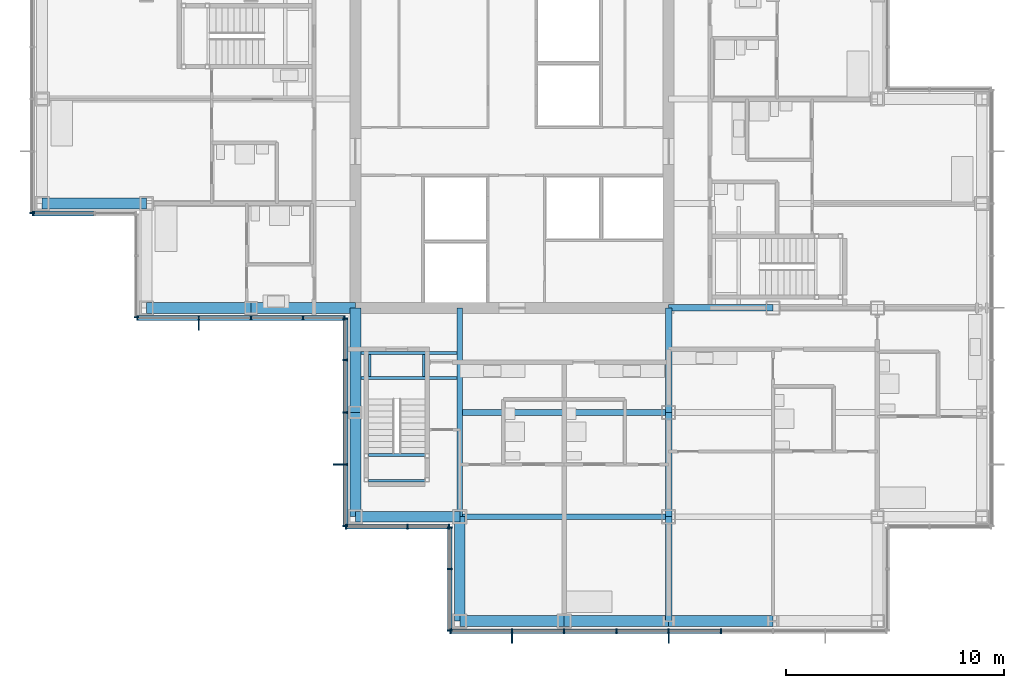
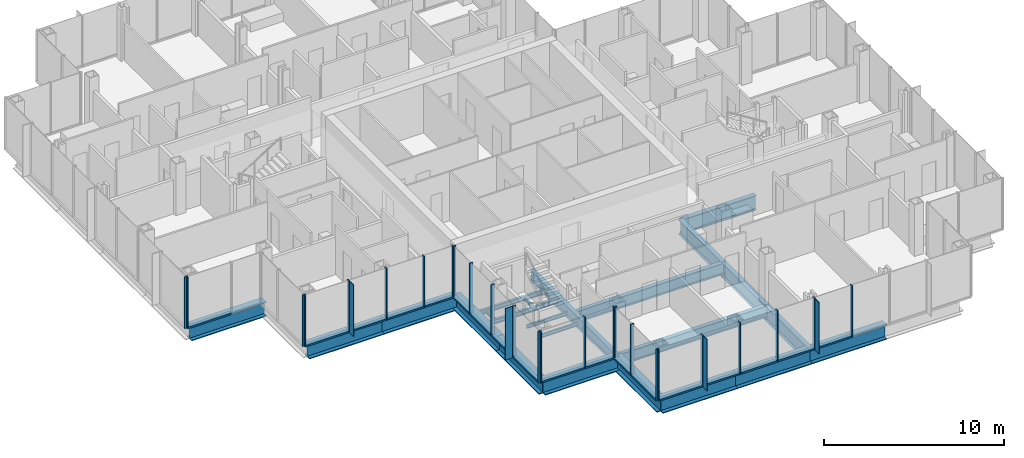
# One storey, part 6 of 20: 47 members, 23 beams, 8 elements without a shape of their own.
"""IFC4 building model written with IfcOpenShell, lengths in metres."""

from ifc_helpers import new_model, si_unit, direction, frame, origin, origin_2d, place, context, subcontext, project, spatial, rectangle, i_section, extrude, material, material_profile, profile_set, type_object, element, aggregate, save


model = new_model("IFC4")

# Units and contexts
model_context = context("Model", 3, precision=1e-05, world=origin(), true_north=direction((0.0, 1.0)))
body_context = subcontext(model_context, "Body", "Model", "MODEL_VIEW")
ifc_project = project(units=[si_unit("LENGTHUNIT", "METRE"), si_unit("AREAUNIT", "SQUARE_METRE"), si_unit("VOLUMEUNIT", "CUBIC_METRE"), si_unit("PLANEANGLEUNIT", "RADIAN"), si_unit("MASSUNIT", "GRAM", prefix="KILO")], contexts=[model_context])

# Site, building, storey
site_placement = place(None, origin())
site = spatial("IfcSite", under=ifc_project, at=site_placement, CompositionType="ELEMENT")
building_placement = place(site_placement, origin())
building = spatial("IfcBuilding", under=site, at=building_placement, Name="Kvirike Care Tower", CompositionType="ELEMENT")
storey_placement = place(building_placement, frame((0.0, 0.0, 101.5)))
storey = spatial("IfcBuildingStorey", under=building, at=storey_placement, Name="L27", CompositionType="ELEMENT", Elevation=101.5)

# Curtain wall, member
ifc_material_1 = material(Name="Anodised aluminium stick system", Category="aluminium")
curtain_wall_type = type_object("IfcCurtainWallType", Name="CW-B STICK CURTAIN WALL", PredefinedType="NOTDEFINED", material=ifc_material_1)
curtain_wall_1_placement = place(storey_placement, origin())
curtain_wall_1 = element("IfcCurtainWall", 1, at=curtain_wall_1_placement, inside=storey, type_object=curtain_wall_type, Name="Curtain wall L27 face 14", PredefinedType="NOTDEFINED")
ifc_material_2 = material(Name="Bronze anodised aluminium fin", Category="aluminium")
ifc_material_profile_1 = material_profile(ifc_material_2, rectangle(XDim=0.050048828125, YDim=0.449951171875, at=origin_2d()), Name="BRONZE FIN 450")
ifc_profile_set_1 = profile_set([ifc_material_profile_1], Name="Bronze anodised aluminium fin")
member_type_1 = type_object("IfcMemberType", Name="BRONZE FIN 450", PredefinedType="USERDEFINED", material=ifc_profile_set_1)
member_1_placement = place(storey_placement, frame((7.199951171875, 28.0048828125, 0.0), z_axis=(0.0, 0.0, 1.0), x_axis=(1.0, 0.0, 0.0)))
member_1 = element("IfcMember", 2, at=member_1_placement, type_object=member_type_1, Name="Bronze fin L27 face 14.2", ObjectType="FIN", PredefinedType="USERDEFINED", context=body_context, shape_type="SweptSolid", body=[
    extrude(rectangle(XDim=0.050048828125, YDim=0.449951171875, at=origin_2d()), origin(), (0.0, 0.0, 1.0), 3.5),
])

curtain_wall_2_placement = place(storey_placement, origin())
curtain_wall_2 = element("IfcCurtainWall", 3, at=curtain_wall_2_placement, inside=storey, type_object=curtain_wall_type, Name="Curtain wall L27 face 15", PredefinedType="NOTDEFINED")
member_2_placement = place(storey_placement, frame((13.60498046875, 21.60009765625, 0.0), z_axis=(0.0, 0.0, 1.0), x_axis=(0.0, -1.0, 0.0)))
member_2 = element("IfcMember", 4, at=member_2_placement, type_object=member_type_1, Name="Bronze fin L27 face 15.4", ObjectType="FIN", PredefinedType="USERDEFINED", context=body_context, shape_type="SweptSolid", body=[
    extrude(rectangle(XDim=0.050048828125, YDim=0.449951171875, at=origin_2d()), origin(), (0.0, 0.0, 1.0), 3.5),
])

# Curtain wall, members
curtain_wall_3_placement = place(storey_placement, origin())
curtain_wall_3 = element("IfcCurtainWall", 5, at=curtain_wall_3_placement, inside=storey, type_object=curtain_wall_type, Name="Curtain wall L27 face 18", PredefinedType="NOTDEFINED")
member_3_placement = place(storey_placement, frame((21.60009765625, 13.60498046875, 0.0), z_axis=(0.0, 0.0, 1.0), x_axis=(1.0, 0.0, 0.0)))
member_3 = element("IfcMember", 6, at=member_3_placement, type_object=member_type_1, Name="Bronze fin L27 face 18.2", ObjectType="FIN", PredefinedType="USERDEFINED", context=body_context, shape_type="SweptSolid", body=[
    extrude(rectangle(XDim=0.050048828125, YDim=0.449951171875, at=origin_2d()), origin(), (0.0, 0.0, 1.0), 3.5),
])
member_4_placement = place(storey_placement, frame((28.800048828125, 13.60498046875, 0.0), z_axis=(0.0, 0.0, 1.0), x_axis=(1.0, 0.0, 0.0)))
member_4 = element("IfcMember", 7, at=member_4_placement, type_object=member_type_1, Name="Bronze fin L27 face 18.5", ObjectType="FIN", PredefinedType="USERDEFINED", context=body_context, shape_type="SweptSolid", body=[
    extrude(rectangle(XDim=0.050048828125, YDim=0.449951171875, at=origin_2d()), origin(), (0.0, 0.0, 1.0), 3.5),
])

# Curtain wall, member
curtain_wall_4_placement = place(storey_placement, origin())
curtain_wall_4 = element("IfcCurtainWall", 8, at=curtain_wall_4_placement, inside=storey, type_object=curtain_wall_type, Name="Curtain wall L27 face 11", PredefinedType="NOTDEFINED")
ifc_material_3 = material(Name="Bronze anodised aluminium mullion", Category="aluminium")
ifc_material_profile_2 = material_profile(ifc_material_3, rectangle(XDim=0.06494140625, YDim=0.219970703125, at=origin_2d()), Name="CW-B MULLION 65x220")
ifc_profile_set_2 = profile_set([ifc_material_profile_2], Name="Bronze anodised aluminium mullion")
member_type_2 = type_object("IfcMemberType", Name="CW-B MULLION 65x220", PredefinedType="MULLION", material=ifc_profile_set_2)
member_5_placement = place(storey_placement, frame((-0.4599609375, 33.172607421875, 0.0), z_axis=(0.0, 0.0, 1.0), x_axis=(0.0, -1.0, 0.0)))
member_5 = element("IfcMember", 9, at=member_5_placement, type_object=member_type_2, Name="CW-B mullion L27 face 11.9", PredefinedType="MULLION", context=body_context, shape_type="SweptSolid", body=[
    extrude(rectangle(XDim=0.06494140625, YDim=0.219970703125, at=origin_2d()), origin(), (0.0, 0.0, 1.0), 3.5),
])
aggregate(curtain_wall_4, [member_5])

curtain_wall_5_placement = place(storey_placement, origin())
curtain_wall_5 = element("IfcCurtainWall", 10, at=curtain_wall_5_placement, inside=storey, type_object=curtain_wall_type, Name="Curtain wall L27 face 12", PredefinedType="NOTDEFINED")
member_6_placement = place(storey_placement, frame((-0.427490234375, 33.139892578125, 0.0), z_axis=(0.0, 0.0, 1.0), x_axis=(1.0, 0.0, 0.0)))
member_6 = element("IfcMember", 11, at=member_6_placement, type_object=member_type_2, Name="CW-B mullion L27 face 12.1", PredefinedType="MULLION", context=body_context, shape_type="SweptSolid", body=[
    extrude(rectangle(XDim=0.06494140625, YDim=0.219970703125, at=origin_2d()), origin(), (0.0, 0.0, 1.0), 3.5),
])

curtain_wall_6_placement = place(storey_placement, origin())
curtain_wall_6 = element("IfcCurtainWall", 12, at=curtain_wall_6_placement, inside=storey, type_object=curtain_wall_type, Name="Curtain wall L27 face 13", PredefinedType="NOTDEFINED")
member_7_placement = place(storey_placement, frame((4.340087890625, 28.37255859375, 0.0), z_axis=(0.0, 0.0, 1.0), x_axis=(0.0, -1.0, 0.0)))
member_7 = element("IfcMember", 13, at=member_7_placement, type_object=member_type_2, Name="CW-B mullion L27 face 13.3", PredefinedType="MULLION", context=body_context, shape_type="SweptSolid", body=[
    extrude(rectangle(XDim=0.06494140625, YDim=0.219970703125, at=origin_2d()), origin(), (0.0, 0.0, 1.0), 3.5),
])
aggregate(curtain_wall_6, [member_7])

# Member
member_8_placement = place(storey_placement, frame((4.37255859375, 28.340087890625, 0.0), z_axis=(0.0, 0.0, 1.0), x_axis=(1.0, 0.0, 0.0)))
member_8 = element("IfcMember", 14, at=member_8_placement, type_object=member_type_2, Name="CW-B mullion L27 face 14.1", PredefinedType="MULLION", context=body_context, shape_type="SweptSolid", body=[
    extrude(rectangle(XDim=0.06494140625, YDim=0.219970703125, at=origin_2d()), origin(), (0.0, 0.0, 1.0), 3.5),
])

member_9_placement = place(storey_placement, frame((7.199951171875, 28.340087890625, 0.0), z_axis=(0.0, 0.0, 1.0), x_axis=(1.0, 0.0, 0.0)))
member_9 = element("IfcMember", 15, at=member_9_placement, type_object=member_type_2, Name="CW-B mullion L27 face 14.2", PredefinedType="MULLION", context=body_context, shape_type="SweptSolid", body=[
    extrude(rectangle(XDim=0.06494140625, YDim=0.219970703125, at=origin_2d()), origin(), (0.0, 0.0, 1.0), 3.5),
])

member_10_placement = place(storey_placement, frame((9.60009765625, 28.340087890625, 0.0), z_axis=(0.0, 0.0, 1.0), x_axis=(1.0, 0.0, 0.0)))
member_10 = element("IfcMember", 16, at=member_10_placement, type_object=member_type_2, Name="CW-B mullion L27 face 14.3", PredefinedType="MULLION", context=body_context, shape_type="SweptSolid", body=[
    extrude(rectangle(XDim=0.06494140625, YDim=0.219970703125, at=origin_2d()), origin(), (0.0, 0.0, 1.0), 3.5),
])

member_11_placement = place(storey_placement, frame((12.0, 28.340087890625, 0.0), z_axis=(0.0, 0.0, 1.0), x_axis=(1.0, 0.0, 0.0)))
member_11 = element("IfcMember", 17, at=member_11_placement, type_object=member_type_2, Name="CW-B mullion L27 face 14.4", PredefinedType="MULLION", context=body_context, shape_type="SweptSolid", body=[
    extrude(rectangle(XDim=0.06494140625, YDim=0.219970703125, at=origin_2d()), origin(), (0.0, 0.0, 1.0), 3.5),
])

member_12_placement = place(storey_placement, frame((13.907470703125, 28.340087890625, 0.0), z_axis=(0.0, 0.0, 1.0), x_axis=(1.0, 0.0, 0.0)))
member_12 = element("IfcMember", 18, at=member_12_placement, type_object=member_type_2, Name="CW-B mullion L27 face 14.5", PredefinedType="MULLION", context=body_context, shape_type="SweptSolid", body=[
    extrude(rectangle(XDim=0.06494140625, YDim=0.219970703125, at=origin_2d()), origin(), (0.0, 0.0, 1.0), 3.5),
])

member_13_placement = place(storey_placement, frame((13.93994140625, 28.3076171875, 0.0), z_axis=(0.0, 0.0, 1.0), x_axis=(0.0, -1.0, 0.0)))
member_13 = element("IfcMember", 19, at=member_13_placement, type_object=member_type_2, Name="CW-B mullion L27 face 15.1", PredefinedType="MULLION", context=body_context, shape_type="SweptSolid", body=[
    extrude(rectangle(XDim=0.06494140625, YDim=0.219970703125, at=origin_2d()), origin(), (0.0, 0.0, 1.0), 3.5),
])

member_14_placement = place(storey_placement, frame((13.93994140625, 26.39990234375, 0.0), z_axis=(0.0, 0.0, 1.0), x_axis=(0.0, -1.0, 0.0)))
member_14 = element("IfcMember", 20, at=member_14_placement, type_object=member_type_2, Name="CW-B mullion L27 face 15.2", PredefinedType="MULLION", context=body_context, shape_type="SweptSolid", body=[
    extrude(rectangle(XDim=0.06494140625, YDim=0.219970703125, at=origin_2d()), origin(), (0.0, 0.0, 1.0), 3.5),
])

member_15_placement = place(storey_placement, frame((13.93994140625, 24.0, 0.0), z_axis=(0.0, 0.0, 1.0), x_axis=(0.0, -1.0, 0.0)))
member_15 = element("IfcMember", 21, at=member_15_placement, type_object=member_type_2, Name="CW-B mullion L27 face 15.3", PredefinedType="MULLION", context=body_context, shape_type="SweptSolid", body=[
    extrude(rectangle(XDim=0.06494140625, YDim=0.219970703125, at=origin_2d()), origin(), (0.0, 0.0, 1.0), 3.5),
])

member_16_placement = place(storey_placement, frame((13.93994140625, 21.60009765625, 0.0), z_axis=(0.0, 0.0, 1.0), x_axis=(0.0, -1.0, 0.0)))
member_16 = element("IfcMember", 22, at=member_16_placement, type_object=member_type_2, Name="CW-B mullion L27 face 15.4", PredefinedType="MULLION", context=body_context, shape_type="SweptSolid", body=[
    extrude(rectangle(XDim=0.06494140625, YDim=0.219970703125, at=origin_2d()), origin(), (0.0, 0.0, 1.0), 3.5),
])

member_17_placement = place(storey_placement, frame((13.93994140625, 18.7724609375, 0.0), z_axis=(0.0, 0.0, 1.0), x_axis=(0.0, -1.0, 0.0)))
member_17 = element("IfcMember", 23, at=member_17_placement, type_object=member_type_2, Name="CW-B mullion L27 face 15.5", PredefinedType="MULLION", context=body_context, shape_type="SweptSolid", body=[
    extrude(rectangle(XDim=0.06494140625, YDim=0.219970703125, at=origin_2d()), origin(), (0.0, 0.0, 1.0), 3.5),
])

# Curtain wall, members
curtain_wall_7_placement = place(storey_placement, origin())
curtain_wall_7 = element("IfcCurtainWall", 24, at=curtain_wall_7_placement, inside=storey, type_object=curtain_wall_type, Name="Curtain wall L27 face 16", PredefinedType="NOTDEFINED")
member_18_placement = place(storey_placement, frame((13.972412109375, 18.739990234375, 0.0), z_axis=(0.0, 0.0, 1.0), x_axis=(1.0, 0.0, 0.0)))
member_18 = element("IfcMember", 25, at=member_18_placement, type_object=member_type_2, Name="CW-B mullion L27 face 16.1", PredefinedType="MULLION", context=body_context, shape_type="SweptSolid", body=[
    extrude(rectangle(XDim=0.06494140625, YDim=0.219970703125, at=origin_2d()), origin(), (0.0, 0.0, 1.0), 3.5),
])
member_19_placement = place(storey_placement, frame((16.800048828125, 18.739990234375, 0.0), z_axis=(0.0, 0.0, 1.0), x_axis=(1.0, 0.0, 0.0)))
member_19 = element("IfcMember", 26, at=member_19_placement, type_object=member_type_2, Name="CW-B mullion L27 face 16.2", PredefinedType="MULLION", context=body_context, shape_type="SweptSolid", body=[
    extrude(rectangle(XDim=0.06494140625, YDim=0.219970703125, at=origin_2d()), origin(), (0.0, 0.0, 1.0), 3.5),
])
member_20_placement = place(storey_placement, frame((18.70751953125, 18.739990234375, 0.0), z_axis=(0.0, 0.0, 1.0), x_axis=(1.0, 0.0, 0.0)))
member_20 = element("IfcMember", 27, at=member_20_placement, type_object=member_type_2, Name="CW-B mullion L27 face 16.3", PredefinedType="MULLION", context=body_context, shape_type="SweptSolid", body=[
    extrude(rectangle(XDim=0.06494140625, YDim=0.219970703125, at=origin_2d()), origin(), (0.0, 0.0, 1.0), 3.5),
])

curtain_wall_8_placement = place(storey_placement, origin())
curtain_wall_8 = element("IfcCurtainWall", 28, at=curtain_wall_8_placement, inside=storey, type_object=curtain_wall_type, Name="Curtain wall L27 face 17", PredefinedType="NOTDEFINED")
member_21_placement = place(storey_placement, frame((18.739990234375, 18.70751953125, 0.0), z_axis=(0.0, 0.0, 1.0), x_axis=(0.0, -1.0, 0.0)))
member_21 = element("IfcMember", 29, at=member_21_placement, type_object=member_type_2, Name="CW-B mullion L27 face 17.1", PredefinedType="MULLION", context=body_context, shape_type="SweptSolid", body=[
    extrude(rectangle(XDim=0.06494140625, YDim=0.219970703125, at=origin_2d()), origin(), (0.0, 0.0, 1.0), 3.5),
])
member_22_placement = place(storey_placement, frame((18.739990234375, 16.800048828125, 0.0), z_axis=(0.0, 0.0, 1.0), x_axis=(0.0, -1.0, 0.0)))
member_22 = element("IfcMember", 30, at=member_22_placement, type_object=member_type_2, Name="CW-B mullion L27 face 17.2", PredefinedType="MULLION", context=body_context, shape_type="SweptSolid", body=[
    extrude(rectangle(XDim=0.06494140625, YDim=0.219970703125, at=origin_2d()), origin(), (0.0, 0.0, 1.0), 3.5),
])
member_23_placement = place(storey_placement, frame((18.739990234375, 13.972412109375, 0.0), z_axis=(0.0, 0.0, 1.0), x_axis=(0.0, -1.0, 0.0)))
member_23 = element("IfcMember", 31, at=member_23_placement, type_object=member_type_2, Name="CW-B mullion L27 face 17.3", PredefinedType="MULLION", context=body_context, shape_type="SweptSolid", body=[
    extrude(rectangle(XDim=0.06494140625, YDim=0.219970703125, at=origin_2d()), origin(), (0.0, 0.0, 1.0), 3.5),
])

# Member
member_24_placement = place(storey_placement, frame((18.7724609375, 13.93994140625, 0.0), z_axis=(0.0, 0.0, 1.0), x_axis=(1.0, 0.0, 0.0)))
member_24 = element("IfcMember", 32, at=member_24_placement, type_object=member_type_2, Name="CW-B mullion L27 face 18.1", PredefinedType="MULLION", context=body_context, shape_type="SweptSolid", body=[
    extrude(rectangle(XDim=0.06494140625, YDim=0.219970703125, at=origin_2d()), origin(), (0.0, 0.0, 1.0), 3.5),
])

member_25_placement = place(storey_placement, frame((21.60009765625, 13.93994140625, 0.0), z_axis=(0.0, 0.0, 1.0), x_axis=(1.0, 0.0, 0.0)))
member_25 = element("IfcMember", 33, at=member_25_placement, type_object=member_type_2, Name="CW-B mullion L27 face 18.2", PredefinedType="MULLION", context=body_context, shape_type="SweptSolid", body=[
    extrude(rectangle(XDim=0.06494140625, YDim=0.219970703125, at=origin_2d()), origin(), (0.0, 0.0, 1.0), 3.5),
])

member_26_placement = place(storey_placement, frame((24.0, 13.93994140625, 0.0), z_axis=(0.0, 0.0, 1.0), x_axis=(1.0, 0.0, 0.0)))
member_26 = element("IfcMember", 34, at=member_26_placement, type_object=member_type_2, Name="CW-B mullion L27 face 18.3", PredefinedType="MULLION", context=body_context, shape_type="SweptSolid", body=[
    extrude(rectangle(XDim=0.06494140625, YDim=0.219970703125, at=origin_2d()), origin(), (0.0, 0.0, 1.0), 3.5),
])

member_27_placement = place(storey_placement, frame((26.39990234375, 13.93994140625, 0.0), z_axis=(0.0, 0.0, 1.0), x_axis=(1.0, 0.0, 0.0)))
member_27 = element("IfcMember", 35, at=member_27_placement, type_object=member_type_2, Name="CW-B mullion L27 face 18.4", PredefinedType="MULLION", context=body_context, shape_type="SweptSolid", body=[
    extrude(rectangle(XDim=0.06494140625, YDim=0.219970703125, at=origin_2d()), origin(), (0.0, 0.0, 1.0), 3.5),
])

member_28_placement = place(storey_placement, frame((28.800048828125, 13.93994140625, 0.0), z_axis=(0.0, 0.0, 1.0), x_axis=(1.0, 0.0, 0.0)))
member_28 = element("IfcMember", 36, at=member_28_placement, type_object=member_type_2, Name="CW-B mullion L27 face 18.5", PredefinedType="MULLION", context=body_context, shape_type="SweptSolid", body=[
    extrude(rectangle(XDim=0.06494140625, YDim=0.219970703125, at=origin_2d()), origin(), (0.0, 0.0, 1.0), 3.5),
])

member_29_placement = place(storey_placement, frame((31.199951171875, 13.93994140625, 0.0), z_axis=(0.0, 0.0, 1.0), x_axis=(1.0, 0.0, 0.0)))
member_29 = element("IfcMember", 37, at=member_29_placement, type_object=member_type_2, Name="CW-B mullion L27 face 18.6", PredefinedType="MULLION", context=body_context, shape_type="SweptSolid", body=[
    extrude(rectangle(XDim=0.06494140625, YDim=0.219970703125, at=origin_2d()), origin(), (0.0, 0.0, 1.0), 3.5),
])

ifc_material_4 = material(Name="Bronze anodised aluminium transom", Category="aluminium")
ifc_material_profile_3 = material_profile(ifc_material_4, rectangle(XDim=0.219970703125, YDim=0.10009765625, at=origin_2d()), Name="CW-B TRANSOM 220x100")
ifc_profile_set_3 = profile_set([ifc_material_profile_3], Name="Bronze anodised aluminium transom")
member_type_3 = type_object("IfcMemberType", Name="CW-B TRANSOM 220x100", PredefinedType="USERDEFINED", material=ifc_profile_set_3)
member_30_placement = place(storey_placement, frame((-0.39501953125, 33.139892578125, 0.050048828125), z_axis=(1.0, 0.0, 0.0), x_axis=(0.0, 1.0, 0.0)))
member_30 = element("IfcMember", 38, at=member_30_placement, type_object=member_type_3, Name="CW-B sill transom L27 face 12.1", ObjectType="TRANSOM", PredefinedType="USERDEFINED", context=body_context, shape_type="SweptSolid", body=[
    extrude(rectangle(XDim=0.219970703125, YDim=0.10009765625, at=origin_2d()), origin(), (0.0, 0.0, 1.0), 2.762451171875),
])

aggregate(curtain_wall_5, [member_6, member_30])

member_31_placement = place(storey_placement, frame((4.405029296875, 28.340087890625, 0.050048828125), z_axis=(1.0, 0.0, 0.0), x_axis=(0.0, 1.0, 0.0)))
member_31 = element("IfcMember", 39, at=member_31_placement, type_object=member_type_3, Name="CW-B sill transom L27 face 14.1", ObjectType="TRANSOM", PredefinedType="USERDEFINED", context=body_context, shape_type="SweptSolid", body=[
    extrude(rectangle(XDim=0.219970703125, YDim=0.10009765625, at=origin_2d()), origin(), (0.0, 0.0, 1.0), 2.762451171875),
])

member_32_placement = place(storey_placement, frame((7.232421875, 28.340087890625, 0.050048828125), z_axis=(1.0, 0.0, 0.0), x_axis=(0.0, 1.0, 0.0)))
member_32 = element("IfcMember", 40, at=member_32_placement, type_object=member_type_3, Name="CW-B sill transom L27 face 14.2", ObjectType="TRANSOM", PredefinedType="USERDEFINED", context=body_context, shape_type="SweptSolid", body=[
    extrude(rectangle(XDim=0.219970703125, YDim=0.10009765625, at=origin_2d()), origin(), (0.0, 0.0, 1.0), 2.3349609375),
])

member_33_placement = place(storey_placement, frame((9.632568359375, 28.340087890625, 0.050048828125), z_axis=(1.0, 0.0, 0.0), x_axis=(0.0, 1.0, 0.0)))
member_33 = element("IfcMember", 41, at=member_33_placement, type_object=member_type_3, Name="CW-B sill transom L27 face 14.3", ObjectType="TRANSOM", PredefinedType="USERDEFINED", context=body_context, shape_type="SweptSolid", body=[
    extrude(rectangle(XDim=0.219970703125, YDim=0.10009765625, at=origin_2d()), origin(), (0.0, 0.0, 1.0), 2.3349609375),
])

member_34_placement = place(storey_placement, frame((12.032470703125, 28.340087890625, 0.050048828125), z_axis=(1.0, 0.0, 0.0), x_axis=(0.0, 1.0, 0.0)))
member_34 = element("IfcMember", 42, at=member_34_placement, type_object=member_type_3, Name="CW-B sill transom L27 face 14.4", ObjectType="TRANSOM", PredefinedType="USERDEFINED", context=body_context, shape_type="SweptSolid", body=[
    extrude(rectangle(XDim=0.219970703125, YDim=0.10009765625, at=origin_2d()), origin(), (0.0, 0.0, 1.0), 1.842529296875),
])

aggregate(curtain_wall_1, [member_8, member_9, member_1, member_10, member_11, member_12, member_31, member_32, member_33, member_34])

member_35_placement = place(storey_placement, frame((13.93994140625, 28.27490234375, 0.050048828125), z_axis=(0.0, -1.0, 0.0), x_axis=(1.0, 0.0, 0.0)))
member_35 = element("IfcMember", 43, at=member_35_placement, type_object=member_type_3, Name="CW-B sill transom L27 face 15.1", ObjectType="TRANSOM", PredefinedType="USERDEFINED", context=body_context, shape_type="SweptSolid", body=[
    extrude(rectangle(XDim=0.219970703125, YDim=0.10009765625, at=origin_2d()), origin(), (0.0, 0.0, 1.0), 1.84228515625),
])

member_36_placement = place(storey_placement, frame((13.93994140625, 26.367431640625, 0.050048828125), z_axis=(0.0, -1.0, 0.0), x_axis=(1.0, 0.0, 0.0)))
member_36 = element("IfcMember", 44, at=member_36_placement, type_object=member_type_3, Name="CW-B sill transom L27 face 15.2", ObjectType="TRANSOM", PredefinedType="USERDEFINED", context=body_context, shape_type="SweptSolid", body=[
    extrude(rectangle(XDim=0.219970703125, YDim=0.10009765625, at=origin_2d()), origin(), (0.0, 0.0, 1.0), 2.3349609375),
])

member_37_placement = place(storey_placement, frame((13.93994140625, 23.967529296875, 0.050048828125), z_axis=(0.0, -1.0, 0.0), x_axis=(1.0, 0.0, 0.0)))
member_37 = element("IfcMember", 45, at=member_37_placement, type_object=member_type_3, Name="CW-B sill transom L27 face 15.3", ObjectType="TRANSOM", PredefinedType="USERDEFINED", context=body_context, shape_type="SweptSolid", body=[
    extrude(rectangle(XDim=0.219970703125, YDim=0.10009765625, at=origin_2d()), origin(), (0.0, 0.0, 1.0), 2.3349609375),
])

member_38_placement = place(storey_placement, frame((13.93994140625, 21.5673828125, 0.050048828125), z_axis=(0.0, -1.0, 0.0), x_axis=(1.0, 0.0, 0.0)))
member_38 = element("IfcMember", 46, at=member_38_placement, type_object=member_type_3, Name="CW-B sill transom L27 face 15.4", ObjectType="TRANSOM", PredefinedType="USERDEFINED", context=body_context, shape_type="SweptSolid", body=[
    extrude(rectangle(XDim=0.219970703125, YDim=0.10009765625, at=origin_2d()), origin(), (0.0, 0.0, 1.0), 2.762451171875),
])

aggregate(curtain_wall_2, [member_13, member_14, member_15, member_16, member_2, member_17, member_35, member_36, member_37, member_38])

member_39_placement = place(storey_placement, frame((14.0048828125, 18.739990234375, 0.050048828125), z_axis=(1.0, 0.0, 0.0), x_axis=(0.0, 1.0, 0.0)))
member_39 = element("IfcMember", 47, at=member_39_placement, type_object=member_type_3, Name="CW-B sill transom L27 face 16.1", ObjectType="TRANSOM", PredefinedType="USERDEFINED", context=body_context, shape_type="SweptSolid", body=[
    extrude(rectangle(XDim=0.219970703125, YDim=0.10009765625, at=origin_2d()), origin(), (0.0, 0.0, 1.0), 2.7626953125),
])

member_40_placement = place(storey_placement, frame((16.83251953125, 18.739990234375, 0.050048828125), z_axis=(1.0, 0.0, 0.0), x_axis=(0.0, 1.0, 0.0)))
member_40 = element("IfcMember", 48, at=member_40_placement, type_object=member_type_3, Name="CW-B sill transom L27 face 16.2", ObjectType="TRANSOM", PredefinedType="USERDEFINED", context=body_context, shape_type="SweptSolid", body=[
    extrude(rectangle(XDim=0.219970703125, YDim=0.10009765625, at=origin_2d()), origin(), (0.0, 0.0, 1.0), 1.842529296875),
])

aggregate(curtain_wall_7, [member_18, member_19, member_20, member_39, member_40])

member_41_placement = place(storey_placement, frame((18.739990234375, 18.675048828125, 0.050048828125), z_axis=(0.0, -1.0, 0.0), x_axis=(1.0, 0.0, 0.0)))
member_41 = element("IfcMember", 49, at=member_41_placement, type_object=member_type_3, Name="CW-B sill transom L27 face 17.1", ObjectType="TRANSOM", PredefinedType="USERDEFINED", context=body_context, shape_type="SweptSolid", body=[
    extrude(rectangle(XDim=0.219970703125, YDim=0.10009765625, at=origin_2d()), origin(), (0.0, 0.0, 1.0), 1.842529296875),
])

member_42_placement = place(storey_placement, frame((18.739990234375, 16.767578125, 0.050048828125), z_axis=(0.0, -1.0, 0.0), x_axis=(1.0, 0.0, 0.0)))
member_42 = element("IfcMember", 50, at=member_42_placement, type_object=member_type_3, Name="CW-B sill transom L27 face 17.2", ObjectType="TRANSOM", PredefinedType="USERDEFINED", context=body_context, shape_type="SweptSolid", body=[
    extrude(rectangle(XDim=0.219970703125, YDim=0.10009765625, at=origin_2d()), origin(), (0.0, 0.0, 1.0), 2.7626953125),
])

aggregate(curtain_wall_8, [member_21, member_22, member_23, member_41, member_42])

member_43_placement = place(storey_placement, frame((18.804931640625, 13.93994140625, 0.050048828125), z_axis=(1.0, 0.0, 0.0), x_axis=(0.0, 1.0, 0.0)))
member_43 = element("IfcMember", 51, at=member_43_placement, type_object=member_type_3, Name="CW-B sill transom L27 face 18.1", ObjectType="TRANSOM", PredefinedType="USERDEFINED", context=body_context, shape_type="SweptSolid", body=[
    extrude(rectangle(XDim=0.219970703125, YDim=0.10009765625, at=origin_2d()), origin(), (0.0, 0.0, 1.0), 2.762451171875),
])

member_44_placement = place(storey_placement, frame((21.632568359375, 13.93994140625, 0.050048828125), z_axis=(1.0, 0.0, 0.0), x_axis=(0.0, 1.0, 0.0)))
member_44 = element("IfcMember", 52, at=member_44_placement, type_object=member_type_3, Name="CW-B sill transom L27 face 18.2", ObjectType="TRANSOM", PredefinedType="USERDEFINED", context=body_context, shape_type="SweptSolid", body=[
    extrude(rectangle(XDim=0.219970703125, YDim=0.10009765625, at=origin_2d()), origin(), (0.0, 0.0, 1.0), 2.3349609375),
])

member_45_placement = place(storey_placement, frame((24.032470703125, 13.93994140625, 0.050048828125), z_axis=(1.0, 0.0, 0.0), x_axis=(0.0, 1.0, 0.0)))
member_45 = element("IfcMember", 53, at=member_45_placement, type_object=member_type_3, Name="CW-B sill transom L27 face 18.3", ObjectType="TRANSOM", PredefinedType="USERDEFINED", context=body_context, shape_type="SweptSolid", body=[
    extrude(rectangle(XDim=0.219970703125, YDim=0.10009765625, at=origin_2d()), origin(), (0.0, 0.0, 1.0), 2.3349609375),
])

member_46_placement = place(storey_placement, frame((26.4326171875, 13.93994140625, 0.050048828125), z_axis=(1.0, 0.0, 0.0), x_axis=(0.0, 1.0, 0.0)))
member_46 = element("IfcMember", 54, at=member_46_placement, type_object=member_type_3, Name="CW-B sill transom L27 face 18.4", ObjectType="TRANSOM", PredefinedType="USERDEFINED", context=body_context, shape_type="SweptSolid", body=[
    extrude(rectangle(XDim=0.219970703125, YDim=0.10009765625, at=origin_2d()), origin(), (0.0, 0.0, 1.0), 2.3349609375),
])

member_47_placement = place(storey_placement, frame((28.83251953125, 13.93994140625, 0.050048828125), z_axis=(1.0, 0.0, 0.0), x_axis=(0.0, 1.0, 0.0)))
member_47 = element("IfcMember", 55, at=member_47_placement, type_object=member_type_3, Name="CW-B sill transom L27 face 18.5", ObjectType="TRANSOM", PredefinedType="USERDEFINED", context=body_context, shape_type="SweptSolid", body=[
    extrude(rectangle(XDim=0.219970703125, YDim=0.10009765625, at=origin_2d()), origin(), (0.0, 0.0, 1.0), 2.3349609375),
])

aggregate(curtain_wall_3, [member_24, member_25, member_3, member_26, member_27, member_28, member_4, member_29, member_43, member_44, member_45, member_46, member_47])

# Beams
ifc_material_5 = material(Name="Steel S355", Category="steel")
ifc_material_profile_4 = material_profile(ifc_material_5, i_section(OverallWidth=0.26806640625, OverallDepth=0.77001953125, WebThickness=0.015625, FlangeThickness=0.025390625, FilletRadius=0.01708984375, at=origin_2d()), Name="IPE 750x196")
ifc_profile_set_4 = profile_set([ifc_material_profile_4], Name="Steel S355")
beam_type_1 = type_object("IfcBeamType", Name="FLOOR BEAM IPE 750x196", PredefinedType="BEAM", material=ifc_profile_set_4)
for number, where, z_axis, x_axis, name in (
    (56, (19.199951171875, 19.199951171875, -0.554931640625), (1.0, 0.0, 0.0), (0.0, 1.0, 0.0), "Floor Beam E7-E9 L27"),
    (57, (19.199951171875, 24.0, -0.554931640625), (1.0, 0.0, 0.0), (0.0, 1.0, 0.0), "Floor Beam F7-F9 L27"),
    (58, (19.199951171875, 19.199951171875, -0.554931640625), (0.0, 1.0, 0.0), (-1.0, 0.0, 0.0), "Floor Beam E7-G7 L27"),
):
    element("IfcBeam", number, at=place(storey_placement, frame(where, z_axis=z_axis, x_axis=x_axis)), inside=storey, type_object=beam_type_1, Name=name, PredefinedType="BEAM", context=body_context, shape_type="SweptSolid", body=[
        extrude(i_section(OverallWidth=0.26806640625, OverallDepth=0.77001953125, WebThickness=0.015625, FlangeThickness=0.025390625, FilletRadius=0.01708984375, at=origin_2d()), origin(), (0.0, 0.0, 1.0), 9.60009765625),
    ])
ifc_material_6 = material(Name="Steel S355", Category="steel")
ifc_material_profile_5 = material_profile(ifc_material_6, i_section(OverallWidth=0.300048828125, OverallDepth=1.0, WebThickness=0.01904296875, FlangeThickness=0.035888671875, FilletRadius=0.030029296875, at=origin_2d()), Name="HE 1000 B")
ifc_profile_set_5 = profile_set([ifc_material_profile_5], Name="Steel S355")
beam_type_2 = type_object("IfcBeamType", Name="FRAME BEAM HE 1000 B", PredefinedType="BEAM", material=ifc_profile_set_5)
for number, where, z_axis, x_axis, name in (
    (59, (28.800048828125, 28.800048828125, -0.669921875), (1.0, 0.0, 0.0), (0.0, 1.0, 0.0), "Frame Beam G9-G10 L27"),
    (60, (28.800048828125, 14.39990234375, -0.669921875), (0.0, 1.0, 0.0), (-1.0, 0.0, 0.0), "Frame Beam D9-E9 L27"),
    (61, (28.800048828125, 19.199951171875, -0.669921875), (0.0, 1.0, 0.0), (-1.0, 0.0, 0.0), "Frame Beam E9-F9 L27"),
    (62, (28.800048828125, 24.0, -0.669921875), (0.0, 1.0, 0.0), (-1.0, 0.0, 0.0), "Frame Beam F9-G9 L27"),
):
    element("IfcBeam", number, at=place(storey_placement, frame(where, z_axis=z_axis, x_axis=x_axis)), inside=storey, type_object=beam_type_2, Name=name, PredefinedType="BEAM", context=body_context, shape_type="SweptSolid", body=[
        extrude(i_section(OverallWidth=0.300048828125, OverallDepth=1.0, WebThickness=0.01904296875, FlangeThickness=0.035888671875, FilletRadius=0.030029296875, at=origin_2d()), origin(), (0.0, 0.0, 1.0), 4.800048828125),
    ])
ifc_material_7 = material(Name="Steel S355", Category="steel")
ifc_material_profile_6 = material_profile(ifc_material_7, i_section(OverallWidth=0.5, OverallDepth=1.0, WebThickness=0.030029296875, FlangeThickness=0.06005859375, at=origin_2d()), Name="PG 1000x500x30x60")
ifc_profile_set_6 = profile_set([ifc_material_profile_6], Name="Steel S355")
beam_type_3 = type_object("IfcBeamType", Name="SPANDREL PG 1000x500x30x60", PredefinedType="SPANDREL", material=ifc_profile_set_6)
for number, where, z_axis, x_axis, name in (
    (63, (19.199951171875, 14.39990234375, -0.669921875), (1.0, 0.0, 0.0), (0.0, 1.0, 0.0), "Spandrel D7-D8 L27"),
    (64, (24.0, 14.39990234375, -0.669921875), (1.0, 0.0, 0.0), (0.0, 1.0, 0.0), "Spandrel D8-D9 L27"),
    (65, (28.800048828125, 14.39990234375, -0.669921875), (1.0, 0.0, 0.0), (0.0, 1.0, 0.0), "Spandrel D9-D10 L27"),
    (66, (14.39990234375, 19.199951171875, -0.669921875), (1.0, 0.0, 0.0), (0.0, 1.0, 0.0), "Spandrel E6-E7 L27"),
    (67, (4.800048828125, 28.800048828125, -0.669921875), (1.0, 0.0, 0.0), (0.0, 1.0, 0.0), "Spandrel G4-G5 L27"),
):
    element("IfcBeam", number, at=place(storey_placement, frame(where, z_axis=z_axis, x_axis=x_axis)), inside=storey, type_object=beam_type_3, Name=name, PredefinedType="SPANDREL", context=body_context, shape_type="SweptSolid", body=[
        extrude(i_section(OverallWidth=0.5, OverallDepth=1.0, WebThickness=0.030029296875, FlangeThickness=0.06005859375, at=origin_2d()), origin(), (0.0, 0.0, 1.0), 4.800048828125),
    ])
beam_placement = place(storey_placement, frame((9.60009765625, 28.800048828125, -0.669921875), z_axis=(1.0, 0.0, 0.0), x_axis=(0.0, 1.0, 0.0)))
element("IfcBeam", 68, at=beam_placement, inside=storey, type_object=beam_type_3, Name="Spandrel G5-G6 L27", PredefinedType="SPANDREL", context=body_context, shape_type="SweptSolid", body=[
    extrude(i_section(OverallWidth=0.5, OverallDepth=1.0, WebThickness=0.030029296875, FlangeThickness=0.06005859375, at=origin_2d()), origin(), (0.0, 0.0, 1.0), 4.7998046875),
])
for number, where, z_axis, x_axis, name in (
    (69, (0.0, 33.60009765625, -0.669921875), (1.0, 0.0, 0.0), (0.0, 1.0, 0.0), "Spandrel H3-H4 L27"),
    (70, (14.39990234375, 19.199951171875, -0.669921875), (0.0, 1.0, 0.0), (-1.0, 0.0, 0.0), "Spandrel E6-F6 L27"),
    (71, (14.39990234375, 24.0, -0.669921875), (0.0, 1.0, 0.0), (-1.0, 0.0, 0.0), "Spandrel F6-G6 L27"),
    (72, (19.199951171875, 14.39990234375, -0.669921875), (0.0, 1.0, 0.0), (-1.0, 0.0, 0.0), "Spandrel D7-E7 L27"),
):
    element("IfcBeam", number, at=place(storey_placement, frame(where, z_axis=z_axis, x_axis=x_axis)), inside=storey, type_object=beam_type_3, Name=name, PredefinedType="SPANDREL", context=body_context, shape_type="SweptSolid", body=[
        extrude(i_section(OverallWidth=0.5, OverallDepth=1.0, WebThickness=0.030029296875, FlangeThickness=0.06005859375, at=origin_2d()), origin(), (0.0, 0.0, 1.0), 4.800048828125),
    ])
ifc_material_8 = material(Name="Steel S355", Category="steel")
ifc_material_profile_7 = material_profile(ifc_material_8, i_section(OverallWidth=0.1201171875, OverallDepth=0.239990234375, WebThickness=0.006103515625, FlangeThickness=0.009765625, FilletRadius=0.014892578125, at=origin_2d()), Name="IPE 240")
ifc_profile_set_7 = profile_set([ifc_material_profile_7], Name="Steel S355")
beam_type_4 = type_object("IfcBeamType", Name="STAIR LANDING BEAM IPE 240", PredefinedType="BEAM", material=ifc_profile_set_7)
for number, where, z_axis, x_axis, name in (
    (73, (15.0, 20.860107421875, 1.429931640625), (1.0, 0.0, 0.0), (0.0, 1.0, 0.0), "Stair 5 landing beam back L27"),
    (74, (15.0, 22.0400390625, 1.429931640625), (1.0, 0.0, 0.0), (0.0, 1.0, 0.0), "Stair 5 landing beam front L27"),
):
    element("IfcBeam", number, at=place(storey_placement, frame(where, z_axis=z_axis, x_axis=x_axis)), inside=storey, type_object=beam_type_4, Name=name, PredefinedType="BEAM", context=body_context, shape_type="SweptSolid", body=[
        extrude(i_section(OverallWidth=0.1201171875, OverallDepth=0.239990234375, WebThickness=0.006103515625, FlangeThickness=0.009765625, FilletRadius=0.014892578125, at=origin_2d()), origin(), (0.0, 0.0, 1.0), 2.60009765625),
    ])
for number, where, z_axis, x_axis, name in (
    (75, (15.06005859375, 25.64990234375, -0.320068359375), (0.0, 1.0, 0.0), (-1.0, 0.0, 0.0), "Stair 5 landing edge beam 1 L27"),
    (76, (17.5400390625, 25.64990234375, -0.320068359375), (0.0, 1.0, 0.0), (-1.0, 0.0, 0.0), "Stair 5 landing edge beam 2 L27"),
):
    element("IfcBeam", number, at=place(storey_placement, frame(where, z_axis=z_axis, x_axis=x_axis)), inside=storey, type_object=beam_type_4, Name=name, PredefinedType="BEAM", context=body_context, shape_type="SweptSolid", body=[
        extrude(i_section(OverallWidth=0.1201171875, OverallDepth=0.239990234375, WebThickness=0.006103515625, FlangeThickness=0.009765625, FilletRadius=0.014892578125, at=origin_2d()), origin(), (0.0, 0.0, 1.0), 1.0),
    ])
ifc_material_9 = material(Name="Steel S355", Category="steel")
ifc_material_profile_8 = material_profile(ifc_material_9, i_section(OverallWidth=0.14990234375, OverallDepth=0.300048828125, WebThickness=0.007080078125, FlangeThickness=0.0107421875, FilletRadius=0.014892578125, at=origin_2d()), Name="IPE 300")
ifc_profile_set_8 = profile_set([ifc_material_profile_8], Name="Steel S355")
beam_type_5 = type_object("IfcBeamType", Name="STAIR TRIMMER IPE 300", PredefinedType="BEAM", material=ifc_profile_set_8)
for number, where, z_axis, x_axis, name in (
    (77, (14.64990234375, 25.574951171875, -0.35009765625), (1.0, 0.0, 0.0), (0.0, 1.0, 0.0), "Stair 5 trimmer 1 L27"),
    (78, (14.64990234375, 26.72509765625, -0.35009765625), (1.0, 0.0, 0.0), (0.0, 1.0, 0.0), "Stair 5 trimmer 2 L27"),
):
    element("IfcBeam", number, at=place(storey_placement, frame(where, z_axis=z_axis, x_axis=x_axis)), inside=storey, type_object=beam_type_5, Name=name, PredefinedType="BEAM", context=body_context, shape_type="SweptSolid", body=[
        extrude(i_section(OverallWidth=0.14990234375, OverallDepth=0.300048828125, WebThickness=0.007080078125, FlangeThickness=0.0107421875, FilletRadius=0.014892578125, at=origin_2d()), origin(), (0.0, 0.0, 1.0), 4.416015625),
    ])

save(model, "model.ifc")
